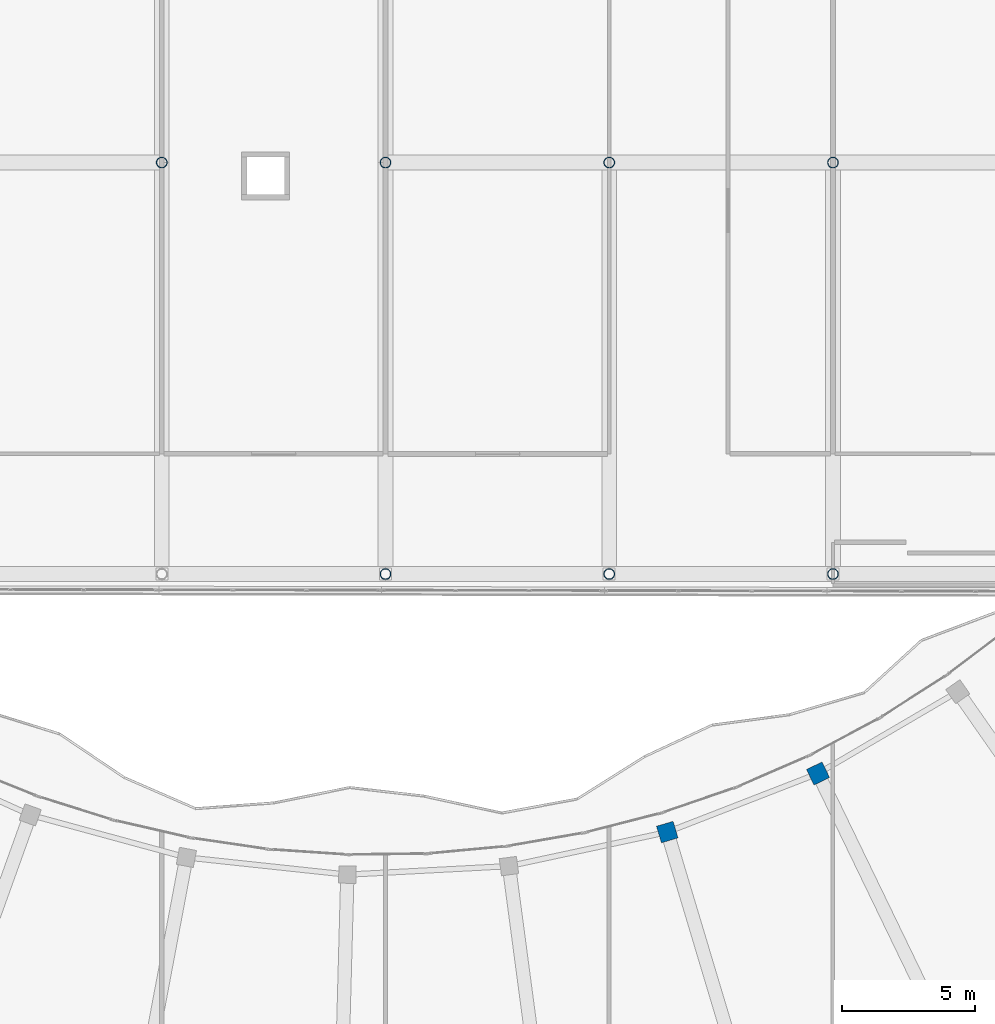
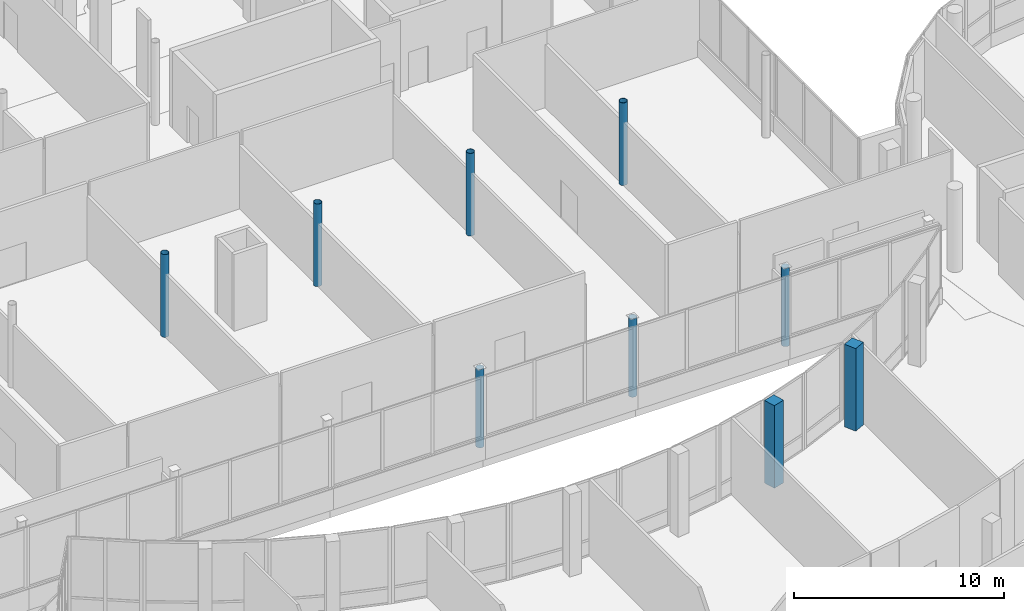
# One storey, part 3 of 155: 9 columns.
"""IFC4 building model written with IfcOpenShell, lengths in metres."""

from ifc_helpers import new_model, si_unit, direction, frame, origin, origin_2d, place, context, subcontext, project, spatial, rectangle, hollow_circle, extrude, material, material_profile, profile_set, type_object, element, save


model = new_model("IFC4")

# Units and contexts
model_context = context("Model", 3, precision=1e-05, world=origin(), true_north=direction((0.0, 1.0)))
body_context = subcontext(model_context, "Body", "Model", "MODEL_VIEW")
ifc_project = project(units=[si_unit("LENGTHUNIT", "METRE"), si_unit("AREAUNIT", "SQUARE_METRE"), si_unit("VOLUMEUNIT", "CUBIC_METRE"), si_unit("PLANEANGLEUNIT", "RADIAN"), si_unit("MASSUNIT", "GRAM", prefix="KILO")], contexts=[model_context])

# Site, building, storey
site_placement = place(None, origin())
site = spatial("IfcSite", under=ifc_project, at=site_placement, CompositionType="ELEMENT")
building_placement = place(site_placement, origin())
building = spatial("IfcBuilding", under=site, at=building_placement, Name="Selatvlak General Hospital", CompositionType="ELEMENT")
storey_placement = place(building_placement, frame((0.0, 0.0, 10.199951171875)))
storey = spatial("IfcBuildingStorey", under=building, at=storey_placement, Name="L02", CompositionType="ELEMENT", Elevation=10.199951171875)

# Columns
ifc_material_1 = material(Name="Steel S355", Category="steel")
ifc_material_profile_1 = material_profile(ifc_material_1, hollow_circle(Radius=0.203125, WallThickness=0.01611328125, at=origin_2d()), Name="CHS 406.4x16")
ifc_profile_set_1 = profile_set([ifc_material_profile_1], Name="Steel S355")
column_type_1 = type_object("IfcColumnType", Name="COL-CHS406", PredefinedType="COLUMN", material=ifc_profile_set_1)
column_1_placement = place(storey_placement, frame((48.0, 68.0, 0.0), z_axis=(0.0, 0.0, 1.0), x_axis=(1.0, 0.0, 0.0)))
element("IfcColumn", 1, at=column_1_placement, inside=storey, type_object=column_type_1, Name="Column 011 on L02", PredefinedType="COLUMN", context=body_context, shape_type="SweptSolid", body=[
    extrude(hollow_circle(Radius=0.203125, WallThickness=0.01611328125, at=origin_2d()), origin(), (0.0, 0.0, 1.0), 4.800048828125),
])
column_2_placement = place(storey_placement, frame((56.39990234375, 52.550048828125, 0.0), z_axis=(0.0, 0.0, 1.0), x_axis=(1.0, 0.0, 0.0)))
element("IfcColumn", 2, at=column_2_placement, inside=storey, type_object=column_type_1, Name="Column 013 on L02", PredefinedType="COLUMN", context=body_context, shape_type="SweptSolid", body=[
    extrude(hollow_circle(Radius=0.203125, WallThickness=0.01611328125, at=origin_2d()), origin(), (0.0, 0.0, 1.0), 4.554931640625),
])
column_3_placement = place(storey_placement, frame((56.39990234375, 68.0, 0.0), z_axis=(0.0, 0.0, 1.0), x_axis=(1.0, 0.0, 0.0)))
element("IfcColumn", 3, at=column_3_placement, inside=storey, type_object=column_type_1, Name="Column 014 on L02", PredefinedType="COLUMN", context=body_context, shape_type="SweptSolid", body=[
    extrude(hollow_circle(Radius=0.203125, WallThickness=0.01611328125, at=origin_2d()), origin(), (0.0, 0.0, 1.0), 4.800048828125),
])
column_4_placement = place(storey_placement, frame((64.800048828125, 52.550048828125, 0.0), z_axis=(0.0, 0.0, 1.0), x_axis=(1.0, 0.0, 0.0)))
element("IfcColumn", 4, at=column_4_placement, inside=storey, type_object=column_type_1, Name="Column 016 on L02", PredefinedType="COLUMN", context=body_context, shape_type="SweptSolid", body=[
    extrude(hollow_circle(Radius=0.203125, WallThickness=0.01611328125, at=origin_2d()), origin(), (0.0, 0.0, 1.0), 4.554931640625),
])
column_5_placement = place(storey_placement, frame((64.800048828125, 68.0, 0.0), z_axis=(0.0, 0.0, 1.0), x_axis=(1.0, 0.0, 0.0)))
element("IfcColumn", 5, at=column_5_placement, inside=storey, type_object=column_type_1, Name="Column 017 on L02", PredefinedType="COLUMN", context=body_context, shape_type="SweptSolid", body=[
    extrude(hollow_circle(Radius=0.203125, WallThickness=0.01611328125, at=origin_2d()), origin(), (0.0, 0.0, 1.0), 4.800048828125),
])
column_6_placement = place(storey_placement, frame((73.199951171875, 52.550048828125, 0.0), z_axis=(0.0, 0.0, 1.0), x_axis=(1.0, 0.0, 0.0)))
element("IfcColumn", 6, at=column_6_placement, inside=storey, type_object=column_type_1, Name="Column 019 on L02", PredefinedType="COLUMN", context=body_context, shape_type="SweptSolid", body=[
    extrude(hollow_circle(Radius=0.203125, WallThickness=0.01611328125, at=origin_2d()), origin(), (0.0, 0.0, 1.0), 4.554931640625),
])
column_7_placement = place(storey_placement, frame((73.199951171875, 68.0, 0.0), z_axis=(0.0, 0.0, 1.0), x_axis=(1.0, 0.0, 0.0)))
element("IfcColumn", 7, at=column_7_placement, inside=storey, type_object=column_type_1, Name="Column 020 on L02", PredefinedType="COLUMN", context=body_context, shape_type="SweptSolid", body=[
    extrude(hollow_circle(Radius=0.203125, WallThickness=0.01611328125, at=origin_2d()), origin(), (0.0, 0.0, 1.0), 4.800048828125),
])
ifc_material_2 = material(Name="Concrete C40/50", Category="concrete")
ifc_material_profile_2 = material_profile(ifc_material_2, rectangle(XDim=0.64990234375, YDim=0.64990234375, at=origin_2d()), Name="RC-COL 650x650")
ifc_profile_set_2 = profile_set([ifc_material_profile_2], Name="Concrete C40/50")
column_type_2 = type_object("IfcColumnType", Name="COL-RC65", PredefinedType="COLUMN", material=ifc_profile_set_2)
for number, where, z_axis, x_axis, name in (
    (8, (66.97900390625, 42.861083984375, 0.0), (0.0, 0.0, 1.0), (-0.286858965796, 0.957972825159, 0.0), "Column 328 on L02"),
    (9, (72.639892578125, 45.06005859375, 0.0), (0.0, 0.0, 1.0), (-0.435199672053, 0.900333963285, 0.0), "Column 331 on L02"),
):
    element("IfcColumn", number, at=place(storey_placement, frame(where, z_axis=z_axis, x_axis=x_axis)), inside=storey, type_object=column_type_2, Name=name, PredefinedType="COLUMN", context=body_context, shape_type="SweptSolid", body=[
        extrude(rectangle(XDim=0.64990234375, YDim=0.64990234375, at=origin_2d()), origin(), (0.0, 0.0, 1.0), 4.800048828125),
    ])

save(model, "model.ifc")
